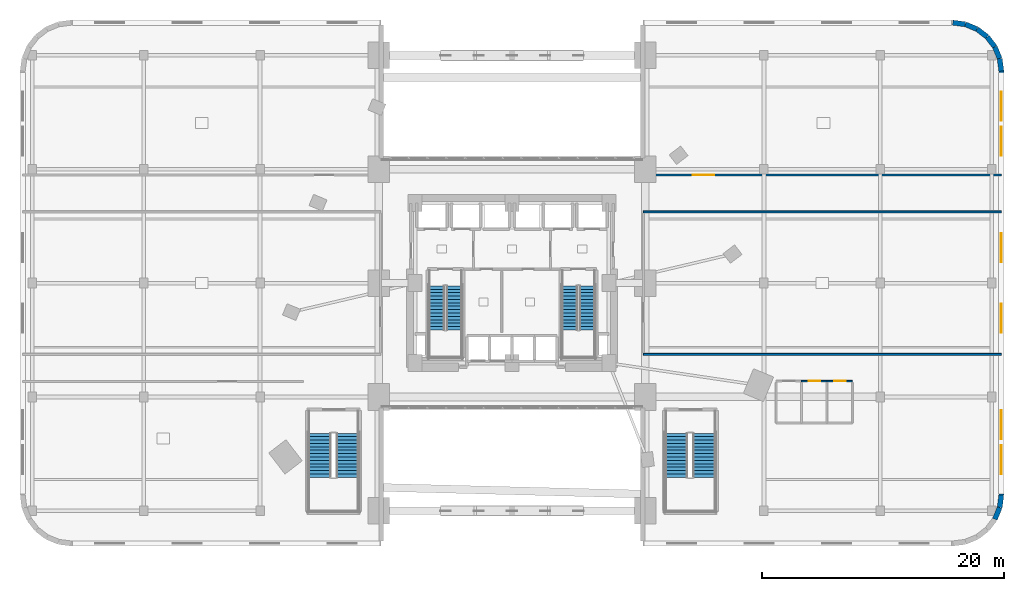
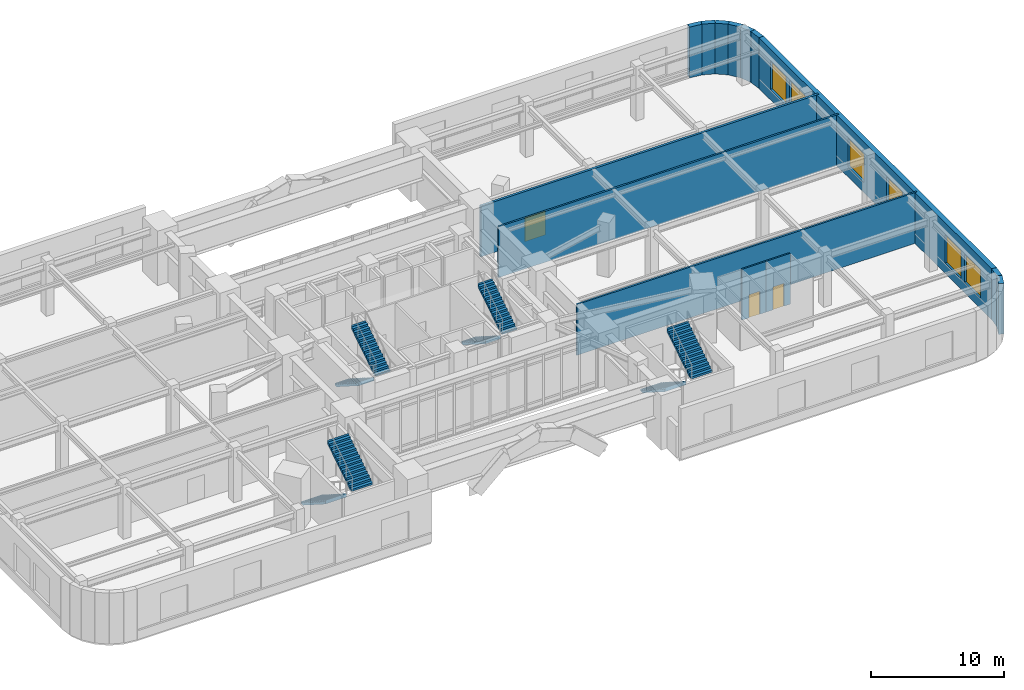
# One storey, part 22 of 25: 14 walls, 8 stair flights, 6 windows, 3 doors, 9 openings, 4 elements without a shape of their own.
"""IFC4 building model written with IfcOpenShell, lengths in metres."""

from ifc_helpers import new_model, si_unit, direction, frame, frame_2d, origin, place, context, subcontext, project, spatial, polyline, rectangle, outline, extrude, material, layer, layer_set, type_object, element, fill, aggregate, save


model = new_model("IFC4")

# Units and contexts
model_context = context("Model", 3, precision=1e-05, world=origin(), true_north=direction((0.0, 1.0)))
body_context = subcontext(model_context, "Body", "Model", "MODEL_VIEW")
ifc_project = project(units=[si_unit("LENGTHUNIT", "METRE"), si_unit("AREAUNIT", "SQUARE_METRE"), si_unit("VOLUMEUNIT", "CUBIC_METRE"), si_unit("PLANEANGLEUNIT", "RADIAN"), si_unit("MASSUNIT", "GRAM", prefix="KILO")], contexts=[model_context])

# Site, building, storey
site_placement = place(None, origin())
site = spatial("IfcSite", under=ifc_project, at=site_placement, CompositionType="ELEMENT")
building_placement = place(site_placement, origin())
building = spatial("IfcBuilding", under=site, at=building_placement, Name="Ndelora Gate Hotel", CompositionType="ELEMENT")
storey_placement = place(building_placement, frame((0.0, 0.0, 11.0)))
storey = spatial("IfcBuildingStorey", under=building, at=storey_placement, Name="L02", CompositionType="ELEMENT", Elevation=11.0)

# Walls
ifc_material_1 = material(Name="Clay Brick Masonry", Category="masonry")
ifc_layer_1 = layer(ifc_material_1, 0.419921875)
ifc_layer_set_1 = layer_set([ifc_layer_1], Name="Clay Brick Masonry")
wall_type_1 = type_object("IfcWallType", Name="WL-BRICK-420", PredefinedType="SOLIDWALL", material=ifc_layer_set_1)
wall_1_placement = place(storey_placement, frame((40.263671875, -18.535400390625, 0.0), z_axis=(0.0, 0.0, 1.0), x_axis=(-0.382771688877, -0.923842970528, 0.0)))
element("IfcWall", 1, at=wall_1_placement, inside=storey, type_object=wall_type_1, Name="L02 Exterior Brick Pier-and-Spandrel Wall 5", PredefinedType="SOLIDWALL", context=body_context, shape_type="SweptSolid", body=[
    extrude(rectangle(XDim=1.044189453125, YDim=0.419921875, at=frame_2d((0.52197265625, 0.0))), origin(), (0.0, 0.0, 1.0), 4.659912109375),
])
wall_2_placement = place(storey_placement, frame((40.39990234375, -17.5, 0.0), z_axis=(0.0, 0.0, 1.0), x_axis=(-0.130448465198, -0.991455091231, 0.0)))
element("IfcWall", 2, at=wall_2_placement, inside=storey, type_object=wall_type_1, Name="L02 Exterior Brick Pier-and-Spandrel Wall 6", PredefinedType="SOLIDWALL", context=body_context, shape_type="SweptSolid", body=[
    extrude(rectangle(XDim=1.04443359375, YDim=0.419921875, at=frame_2d((0.522216796875, 0.0))), origin(), (0.0, 0.0, 1.0), 4.659912109375),
])

# Wall, openings, windows
wall_3_placement = place(storey_placement, frame((40.39990234375, 17.5, 0.0), z_axis=(0.0, 0.0, 1.0), x_axis=(0.0, -1.0, 0.0)))
wall_3 = element("IfcWall", 3, at=wall_3_placement, inside=storey, type_object=wall_type_1, Name="L02 Exterior Brick Pier-and-Spandrel Wall 7", PredefinedType="SOLIDWALL", context=body_context, shape_type="SweptSolid", body=[
    extrude(rectangle(XDim=35.0, YDim=0.419921875, at=frame_2d((17.5, 0.0))), origin(), (0.0, 0.0, 1.0), 4.659912109375),
])
opening_1_placement = place(wall_3_placement, frame((1.716796875, 0.0, 0.949951171875)))
opening_1 = element("IfcOpeningElement", 4, at=opening_1_placement, cuts=wall_3, Name="Opening W04", PredefinedType="OPENING", context=body_context, shape_type="SweptSolid", body=[
    extrude(rectangle(XDim=2.39990234375, YDim=2.60009765625, at=frame_2d((1.199951171875, 1.300048828125))), frame((0.0, 0.219970703125, 0.0), z_axis=(0.0, -1.0, 0.0), x_axis=(1.0, 0.0, 0.0)), (0.0, 0.0, 1.0), 0.43994140625),
])
opening_2_placement = place(wall_3_placement, frame((4.60009765625, 0.0, 0.949951171875)))
opening_2 = element("IfcOpeningElement", 5, at=opening_2_placement, cuts=wall_3, Name="Opening W04", PredefinedType="OPENING", context=body_context, shape_type="SweptSolid", body=[
    extrude(rectangle(XDim=2.39990234375, YDim=2.60009765625, at=frame_2d((1.199951171875, 1.300048828125))), frame((0.0, 0.219970703125, 0.0), z_axis=(0.0, -1.0, 0.0), x_axis=(1.0, 0.0, 0.0)), (0.0, 0.0, 1.0), 0.43994140625),
])
opening_3_placement = place(wall_3_placement, frame((13.38330078125, 0.0, 0.949951171875)))
opening_3 = element("IfcOpeningElement", 6, at=opening_3_placement, cuts=wall_3, Name="Opening W04", PredefinedType="OPENING", context=body_context, shape_type="SweptSolid", body=[
    extrude(rectangle(XDim=2.39990234375, YDim=2.60009765625, at=frame_2d((1.199951171875, 1.300048828125))), frame((0.0, 0.219970703125, 0.0), z_axis=(0.0, -1.0, 0.0), x_axis=(1.0, 0.0, 0.0)), (0.0, 0.0, 1.0), 0.43994140625),
])
opening_4_placement = place(wall_3_placement, frame((19.216796875, 0.0, 0.949951171875)))
opening_4 = element("IfcOpeningElement", 7, at=opening_4_placement, cuts=wall_3, Name="Opening W04", PredefinedType="OPENING", context=body_context, shape_type="SweptSolid", body=[
    extrude(rectangle(XDim=2.39990234375, YDim=2.60009765625, at=frame_2d((1.199951171875, 1.300048828125))), frame((0.0, 0.219970703125, 0.0), z_axis=(0.0, -1.0, 0.0), x_axis=(1.0, 0.0, 0.0)), (0.0, 0.0, 1.0), 0.43994140625),
])
opening_5_placement = place(wall_3_placement, frame((28.0, 0.0, 0.949951171875)))
opening_5 = element("IfcOpeningElement", 8, at=opening_5_placement, cuts=wall_3, Name="Opening W04", PredefinedType="OPENING", context=body_context, shape_type="SweptSolid", body=[
    extrude(rectangle(XDim=2.39990234375, YDim=2.60009765625, at=frame_2d((1.199951171875, 1.300048828125))), frame((0.0, 0.219970703125, 0.0), z_axis=(0.0, -1.0, 0.0), x_axis=(1.0, 0.0, 0.0)), (0.0, 0.0, 1.0), 0.43994140625),
])
opening_6_placement = place(wall_3_placement, frame((30.88330078125, 0.0, 0.949951171875)))
opening_6 = element("IfcOpeningElement", 9, at=opening_6_placement, cuts=wall_3, Name="Opening W04", PredefinedType="OPENING", context=body_context, shape_type="SweptSolid", body=[
    extrude(rectangle(XDim=2.39990234375, YDim=2.60009765625, at=frame_2d((1.199951171875, 1.300048828125))), frame((0.0, 0.219970703125, 0.0), z_axis=(0.0, -1.0, 0.0), x_axis=(1.0, 0.0, 0.0)), (0.0, 0.0, 1.0), 0.43994140625),
])
ifc_material_2 = material(Name="Insulated Low-E Double Glazing in Bronze Aluminium Frame", Category="aluminium")
window_type = type_object("IfcWindowType", Name="WN-POD-2400", PartitioningType="SINGLE_PANEL", PredefinedType="WINDOW", material=ifc_material_2)
window_1_placement = place(opening_1_placement, origin())
window_1 = element("IfcWindow", 10, at=window_1_placement, inside=storey, type_object=window_type, Name="L02 Deep-Set Podium Brick-Frame Window W04", OverallHeight=2.60009765625, OverallWidth=2.39990234375, PartitioningType="SINGLE_PANEL", PredefinedType="WINDOW", context=body_context, shape_type="SweptSolid", body=[
    extrude(rectangle(XDim=2.39990234375, YDim=2.60009765625, at=frame_2d((1.199951171875, 1.300048828125))), frame((0.0, 0.030029296875, 0.0), z_axis=(0.0, -1.0, 0.0), x_axis=(1.0, 0.0, 0.0)), (0.0, 0.0, 1.0), 0.06005859375),
])
fill(opening_1, window_1)
window_2_placement = place(opening_2_placement, origin())
window_2 = element("IfcWindow", 11, at=window_2_placement, inside=storey, type_object=window_type, Name="L02 Deep-Set Podium Brick-Frame Window W04", OverallHeight=2.60009765625, OverallWidth=2.39990234375, PartitioningType="SINGLE_PANEL", PredefinedType="WINDOW", context=body_context, shape_type="SweptSolid", body=[
    extrude(rectangle(XDim=2.39990234375, YDim=2.60009765625, at=frame_2d((1.199951171875, 1.300048828125))), frame((0.0, 0.030029296875, 0.0), z_axis=(0.0, -1.0, 0.0), x_axis=(1.0, 0.0, 0.0)), (0.0, 0.0, 1.0), 0.06005859375),
])
fill(opening_2, window_2)
window_3_placement = place(opening_3_placement, origin())
window_3 = element("IfcWindow", 12, at=window_3_placement, inside=storey, type_object=window_type, Name="L02 Deep-Set Podium Brick-Frame Window W04", OverallHeight=2.60009765625, OverallWidth=2.39990234375, PartitioningType="SINGLE_PANEL", PredefinedType="WINDOW", context=body_context, shape_type="SweptSolid", body=[
    extrude(rectangle(XDim=2.39990234375, YDim=2.60009765625, at=frame_2d((1.199951171875, 1.300048828125))), frame((0.0, 0.030029296875, 0.0), z_axis=(0.0, -1.0, 0.0), x_axis=(1.0, 0.0, 0.0)), (0.0, 0.0, 1.0), 0.06005859375),
])
fill(opening_3, window_3)
window_4_placement = place(opening_4_placement, origin())
window_4 = element("IfcWindow", 13, at=window_4_placement, inside=storey, type_object=window_type, Name="L02 Deep-Set Podium Brick-Frame Window W04", OverallHeight=2.60009765625, OverallWidth=2.39990234375, PartitioningType="SINGLE_PANEL", PredefinedType="WINDOW", context=body_context, shape_type="SweptSolid", body=[
    extrude(rectangle(XDim=2.39990234375, YDim=2.60009765625, at=frame_2d((1.199951171875, 1.300048828125))), frame((0.0, 0.030029296875, 0.0), z_axis=(0.0, -1.0, 0.0), x_axis=(1.0, 0.0, 0.0)), (0.0, 0.0, 1.0), 0.06005859375),
])
fill(opening_4, window_4)
window_5_placement = place(opening_5_placement, origin())
window_5 = element("IfcWindow", 14, at=window_5_placement, inside=storey, type_object=window_type, Name="L02 Deep-Set Podium Brick-Frame Window W04", OverallHeight=2.60009765625, OverallWidth=2.39990234375, PartitioningType="SINGLE_PANEL", PredefinedType="WINDOW", context=body_context, shape_type="SweptSolid", body=[
    extrude(rectangle(XDim=2.39990234375, YDim=2.60009765625, at=frame_2d((1.199951171875, 1.300048828125))), frame((0.0, 0.030029296875, 0.0), z_axis=(0.0, -1.0, 0.0), x_axis=(1.0, 0.0, 0.0)), (0.0, 0.0, 1.0), 0.06005859375),
])
fill(opening_5, window_5)
window_6_placement = place(opening_6_placement, origin())
window_6 = element("IfcWindow", 15, at=window_6_placement, inside=storey, type_object=window_type, Name="L02 Deep-Set Podium Brick-Frame Window W04", OverallHeight=2.60009765625, OverallWidth=2.39990234375, PartitioningType="SINGLE_PANEL", PredefinedType="WINDOW", context=body_context, shape_type="SweptSolid", body=[
    extrude(rectangle(XDim=2.39990234375, YDim=2.60009765625, at=frame_2d((1.199951171875, 1.300048828125))), frame((0.0, 0.030029296875, 0.0), z_axis=(0.0, -1.0, 0.0), x_axis=(1.0, 0.0, 0.0)), (0.0, 0.0, 1.0), 0.06005859375),
])
fill(opening_6, window_6)

# Walls
wall_4_placement = place(storey_placement, frame((40.263671875, 18.535400390625, 0.0), z_axis=(0.0, 0.0, 1.0), x_axis=(0.130448465198, -0.991455091231, 0.0)))
element("IfcWall", 16, at=wall_4_placement, inside=storey, type_object=wall_type_1, Name="L02 Exterior Brick Pier-and-Spandrel Wall 8", PredefinedType="SOLIDWALL", context=body_context, shape_type="SweptSolid", body=[
    extrude(rectangle(XDim=1.04443359375, YDim=0.419921875, at=frame_2d((0.522216796875, 0.0))), origin(), (0.0, 0.0, 1.0), 4.659912109375),
])
wall_5_placement = place(storey_placement, frame((39.864013671875, 19.5, 0.0), z_axis=(0.0, 0.0, 1.0), x_axis=(0.382771688877, -0.923842970528, 0.0)))
element("IfcWall", 17, at=wall_5_placement, inside=storey, type_object=wall_type_1, Name="L02 Exterior Brick Pier-and-Spandrel Wall 9", PredefinedType="SOLIDWALL", context=body_context, shape_type="SweptSolid", body=[
    extrude(rectangle(XDim=1.044189453125, YDim=0.419921875, at=frame_2d((0.52197265625, 0.0))), origin(), (0.0, 0.0, 1.0), 4.659912109375),
])
wall_6_placement = place(storey_placement, frame((39.228515625, 20.328369140625, 0.0), z_axis=(0.0, 0.0, 1.0), x_axis=(0.608681879412, -0.793414374508, 0.0)))
element("IfcWall", 18, at=wall_6_placement, inside=storey, type_object=wall_type_1, Name="L02 Exterior Brick Pier-and-Spandrel Wall 10", PredefinedType="SOLIDWALL", context=body_context, shape_type="SweptSolid", body=[
    extrude(rectangle(XDim=1.0439453125, YDim=0.419921875, at=frame_2d((0.52197265625, 0.0))), origin(), (0.0, 0.0, 1.0), 4.659912109375),
])
wall_7_placement = place(storey_placement, frame((38.39990234375, 20.964111328125, 0.0), z_axis=(0.0, 0.0, 1.0), x_axis=(0.793388088797, -0.608716141198, 0.0)))
element("IfcWall", 19, at=wall_7_placement, inside=storey, type_object=wall_type_1, Name="L02 Exterior Brick Pier-and-Spandrel Wall 11", PredefinedType="SOLIDWALL", context=body_context, shape_type="SweptSolid", body=[
    extrude(rectangle(XDim=1.04443359375, YDim=0.419921875, at=frame_2d((0.522216796875, 0.0))), origin(), (0.0, 0.0, 1.0), 4.659912109375),
])
wall_8_placement = place(storey_placement, frame((37.435302734375, 21.36376953125, 0.0), z_axis=(0.0, 0.0, 1.0), x_axis=(0.923842970528, -0.382771688877, 0.0)))
element("IfcWall", 20, at=wall_8_placement, inside=storey, type_object=wall_type_1, Name="L02 Exterior Brick Pier-and-Spandrel Wall 12", PredefinedType="SOLIDWALL", context=body_context, shape_type="SweptSolid", body=[
    extrude(rectangle(XDim=1.044189453125, YDim=0.419921875, at=frame_2d((0.52197265625, 0.0))), origin(), (0.0, 0.0, 1.0), 4.659912109375),
])
wall_9_placement = place(storey_placement, frame((36.39990234375, 21.5, 0.0), z_axis=(0.0, 0.0, 1.0), x_axis=(0.991455091231, -0.130448465198, 0.0)))
element("IfcWall", 21, at=wall_9_placement, inside=storey, type_object=wall_type_1, Name="L02 Exterior Brick Pier-and-Spandrel Wall 13", PredefinedType="SOLIDWALL", context=body_context, shape_type="SweptSolid", body=[
    extrude(rectangle(XDim=1.04443359375, YDim=0.419921875, at=frame_2d((0.522216796875, 0.0))), origin(), (0.0, 0.0, 1.0), 4.659912109375),
])

# Wall, opening, door
ifc_material_3 = material(Name="Concrete C40/50", Category="concrete")
ifc_layer_2 = layer(ifc_material_3, 0.199951171875)
ifc_layer_set_2 = layer_set([ifc_layer_2], Name="Concrete C40/50")
wall_type_2 = type_object("IfcWallType", Name="WL-FIRE-200", PredefinedType="PARTITIONING", material=ifc_layer_set_2)
wall_10_placement = place(storey_placement, frame((11.050048828125, 8.919921875, 0.0), z_axis=(0.0, 0.0, 1.0), x_axis=(1.0, 0.0, 0.0)))
wall_10 = element("IfcWall", 22, at=wall_10_placement, inside=storey, type_object=wall_type_2, Name="L02 Interior Wall IW-2", PredefinedType="PARTITIONING", context=body_context, shape_type="SweptSolid", body=[
    extrude(rectangle(XDim=29.349853515625, YDim=0.199951171875, at=frame_2d((14.6748046875, 0.0))), origin(), (0.0, 0.0, 1.0), 4.659912109375),
])
opening_7_placement = place(wall_10_placement, frame((3.860107421875, 0.0, 0.0)))
opening_7 = element("IfcOpeningElement", 23, at=opening_7_placement, cuts=wall_10, Name="Opening FD2", PredefinedType="OPENING", context=body_context, shape_type="SweptSolid", body=[
    extrude(rectangle(XDim=1.800048828125, YDim=2.199951171875, at=frame_2d((0.89990234375, 1.10009765625))), frame((0.0, 0.10986328125, 0.0), z_axis=(0.0, -1.0, 0.0), x_axis=(1.0, 0.0, 0.0)), (0.0, 0.0, 1.0), 0.219970703125),
])
ifc_material_4 = material(Name="Fire-Rated Double Exit Door", Category="wood")
door_type_1 = type_object("IfcDoorType", Name="DR-DBL-1800", OperationType="DOUBLE_DOOR_SINGLE_SWING", PredefinedType="DOOR", material=ifc_material_4)
door_1_placement = place(opening_7_placement, origin())
door_1 = element("IfcDoor", 24, at=door_1_placement, inside=storey, type_object=door_type_1, Name="L02 Specialty Finishing Kitchen Door", OperationType="DOUBLE_DOOR_SINGLE_SWING", OverallHeight=2.199951171875, OverallWidth=1.800048828125, PredefinedType="DOOR", context=body_context, shape_type="SweptSolid", body=[
    extrude(rectangle(XDim=1.800048828125, YDim=2.199951171875, at=frame_2d((0.89990234375, 1.10009765625))), frame((0.0, 0.02490234375, 0.0), z_axis=(0.0, -1.0, 0.0), x_axis=(1.0, 0.0, 0.0)), (0.0, 0.0, 1.0), 0.050048828125),
])
fill(opening_7, door_1)

# Walls
ifc_material_5 = material(Name="Fire-Rated Gypsum Stud Partition", Category="gypsum")
ifc_layer_3 = layer(ifc_material_5, 0.159912109375)
ifc_layer_set_3 = layer_set([ifc_layer_3], Name="Fire-Rated Gypsum Stud Partition")
wall_type_3 = type_object("IfcWallType", Name="WL-PART-160", PredefinedType="PARTITIONING", material=ifc_layer_set_3)
for number, where, z_axis, x_axis, name in (
    (25, (40.39990234375, 5.8798828125, 0.0), (0.0, 0.0, 1.0), (-1.0, 0.0, 0.0), "L02 Interior Wall IW-4"),
    (26, (10.85009765625, -5.8798828125, 0.0), (0.0, 0.0, 1.0), (1.0, 0.0, 0.0), "L02 Interior Wall IW-4"),
):
    element("IfcWall", number, at=place(storey_placement, frame(where, z_axis=z_axis, x_axis=x_axis)), inside=storey, type_object=wall_type_3, Name=name, PredefinedType="PARTITIONING", context=body_context, shape_type="SweptSolid", body=[
        extrude(rectangle(XDim=29.5498046875, YDim=0.159912109375, at=frame_2d((14.77490234375, 0.0))), origin(), (0.0, 0.0, 1.0), 4.659912109375),
    ])

# Wall, opening, door
ifc_material_6 = material(Name="Moisture-Resistant Fire-Rated Tile Partition", Category="gypsum")
ifc_layer_4 = layer(ifc_material_6, 0.1298828125)
ifc_layer_set_4 = layer_set([ifc_layer_4], Name="Moisture-Resistant Fire-Rated Tile Partition")
wall_type_4 = type_object("IfcWallType", Name="WL-WET-RATED", PredefinedType="PARTITIONING", material=ifc_layer_set_4)
wall_11_placement = place(storey_placement, frame((26.0, -8.10009765625, 0.0), z_axis=(0.0, 0.0, 1.0), x_axis=(-1.0, 0.0, 0.0)))
wall_11 = element("IfcWall", 27, at=wall_11_placement, inside=storey, type_object=wall_type_4, Name="L02 Interior Wall IW-6", PredefinedType="PARTITIONING", context=body_context, shape_type="SweptSolid", body=[
    extrude(rectangle(XDim=2.10009765625, YDim=0.1298828125, at=frame_2d((1.050048828125, 0.0))), origin(), (0.0, 0.0, 1.0), 4.659912109375),
])
opening_8_placement = place(wall_11_placement, frame((0.550048828125, 0.0, 0.0)))
opening_8 = element("IfcOpeningElement", 28, at=opening_8_placement, cuts=wall_11, Name="Opening D05", PredefinedType="OPENING", context=body_context, shape_type="SweptSolid", body=[
    extrude(rectangle(XDim=0.949951171875, YDim=2.10009765625, at=frame_2d((0.47509765625, 1.050048828125))), frame((0.0, 0.074951171875, 0.0), z_axis=(0.0, -1.0, 0.0), x_axis=(1.0, 0.0, 0.0)), (0.0, 0.0, 1.0), 0.14990234375),
])
ifc_material_7 = material(Name="Accessible Restroom Wide-Clearance Door", Category="wood")
door_type_2 = type_object("IfcDoorType", Name="DR-ACC-950", OperationType="SINGLE_SWING_LEFT", PredefinedType="DOOR", material=ifc_material_7)
door_2_placement = place(opening_8_placement, origin())
door_2 = element("IfcDoor", 29, at=door_2_placement, inside=storey, type_object=door_type_2, Name="L02 Female Public Restroom Door", OperationType="SINGLE_SWING_RIGHT", OverallHeight=2.10009765625, OverallWidth=0.949951171875, PredefinedType="DOOR", context=body_context, shape_type="SweptSolid", body=[
    extrude(rectangle(XDim=0.949951171875, YDim=2.10009765625, at=frame_2d((0.47509765625, 1.050048828125))), frame((0.0, 0.02490234375, 0.0), z_axis=(0.0, -1.0, 0.0), x_axis=(1.0, 0.0, 0.0)), (0.0, 0.0, 1.0), 0.050048828125),
])
fill(opening_8, door_2)

wall_12_placement = place(storey_placement, frame((28.10009765625, -8.10009765625, 0.0), z_axis=(0.0, 0.0, 1.0), x_axis=(-1.0, 0.0, 0.0)))
wall_12 = element("IfcWall", 30, at=wall_12_placement, inside=storey, type_object=wall_type_4, Name="L02 Interior Wall IW-6", PredefinedType="PARTITIONING", context=body_context, shape_type="SweptSolid", body=[
    extrude(rectangle(XDim=2.10009765625, YDim=0.1298828125, at=frame_2d((1.050048828125, 0.0))), origin(), (0.0, 0.0, 1.0), 4.659912109375),
])
opening_9_placement = place(wall_12_placement, frame((0.550048828125, 0.0, 0.0)))
opening_9 = element("IfcOpeningElement", 31, at=opening_9_placement, cuts=wall_12, Name="Opening D05", PredefinedType="OPENING", context=body_context, shape_type="SweptSolid", body=[
    extrude(rectangle(XDim=0.949951171875, YDim=2.10009765625, at=frame_2d((0.47509765625, 1.050048828125))), frame((0.0, 0.074951171875, 0.0), z_axis=(0.0, -1.0, 0.0), x_axis=(1.0, 0.0, 0.0)), (0.0, 0.0, 1.0), 0.14990234375),
])
door_3_placement = place(opening_9_placement, origin())
door_3 = element("IfcDoor", 32, at=door_3_placement, inside=storey, type_object=door_type_2, Name="L02 Accessible WC Door", OperationType="SINGLE_SWING_LEFT", OverallHeight=2.10009765625, OverallWidth=0.949951171875, PredefinedType="DOOR", context=body_context, shape_type="SweptSolid", body=[
    extrude(rectangle(XDim=0.949951171875, YDim=2.10009765625, at=frame_2d((0.47509765625, 1.050048828125))), frame((0.0, 0.02490234375, 0.0), z_axis=(0.0, -1.0, 0.0), x_axis=(1.0, 0.0, 0.0)), (0.0, 0.0, 1.0), 0.050048828125),
])
fill(opening_9, door_3)

# Stair, stair flights
ifc_material_8 = material(Name="Precast concrete C40/50", Category="concrete")
stair_type_1 = type_object("IfcStairType", Name="STR-DOG-CORE", PredefinedType="HALF_TURN_STAIR", material=ifc_material_8)
stair_1_placement = place(storey_placement, origin())
stair_1 = element("IfcStair", 33, at=stair_1_placement, inside=storey, type_object=stair_type_1, Name="L02 Protected Core Exit Stair ST4", PredefinedType="HALF_TURN_STAIR")
stair_flight_type_1 = type_object("IfcStairFlightType", Name="STF-PRECAST", PredefinedType="STRAIGHT", material=ifc_material_8)
stair_flight_1_placement = place(storey_placement, frame((-6.2099609375, -0.22998046875, 0.0), z_axis=(0.0, 0.0, 1.0), x_axis=(0.0, -1.0, 0.0)))
stair_flight_1 = element("IfcStairFlight", 34, at=stair_flight_1_placement, type_object=stair_flight_type_1, Name="ST4 flight 1", NumberOfRisers=14, NumberOfTreads=13, PredefinedType="STRAIGHT", RiserHeight=0.178571429, TreadLength=0.28, context=body_context, shape_type="SweptSolid", body=[
    extrude(outline(polyline([(-0.00048828125, 0.0), (-0.00048828125, 0.178466796875), (0.0, 0.178466796875), (0.280029296875, 0.178466796875), (0.280029296875, 0.357177734375), (0.56005859375, 0.357177734375), (0.56005859375, 0.53564453125), (0.840087890625, 0.53564453125), (0.840087890625, 0.71435546875), (1.1201171875, 0.71435546875), (1.1201171875, 0.892822265625), (1.39990234375, 0.892822265625), (1.39990234375, 1.071533203125), (1.679931640625, 1.071533203125), (1.679931640625, 1.25), (1.9599609375, 1.25), (1.9599609375, 1.428466796875), (2.239990234375, 1.428466796875), (2.239990234375, 1.607177734375), (2.52001953125, 1.607177734375), (2.52001953125, 1.78564453125), (2.800048828125, 1.78564453125), (2.800048828125, 1.96435546875), (3.080078125, 1.96435546875), (3.080078125, 2.142822265625), (3.360107421875, 2.142822265625), (3.360107421875, 2.321533203125), (3.639892578125, 2.321533203125), (3.639892578125, 2.5), (3.640625, 2.5), (3.640625, 2.320068359375), (3.639892578125, 2.1435546875), (0.27880859375, 0.0), (-0.00048828125, 0.0)])), frame((0.0, 0.64013671875, 0.0), z_axis=(0.0, -1.0, 0.0), x_axis=(1.0, 0.0, 0.0)), (0.0, 0.0, 1.0), 1.280029296875),
])
stair_flight_2_placement = place(storey_placement, frame((-4.77001953125, -3.8701171875, 2.5), z_axis=(0.0, 0.0, 1.0), x_axis=(0.0, 1.0, 0.0)))
stair_flight_2 = element("IfcStairFlight", 35, at=stair_flight_2_placement, type_object=stair_flight_type_1, Name="ST4 flight 2", NumberOfRisers=14, NumberOfTreads=13, PredefinedType="STRAIGHT", RiserHeight=0.178571429, TreadLength=0.28, context=body_context, shape_type="SweptSolid", body=[
    extrude(outline(polyline([(-0.00048828125, 0.0), (-0.00048828125, 0.178466796875), (0.0, 0.178466796875), (0.280029296875, 0.178466796875), (0.280029296875, 0.357177734375), (0.56005859375, 0.357177734375), (0.56005859375, 0.53564453125), (0.840087890625, 0.53564453125), (0.840087890625, 0.71435546875), (1.1201171875, 0.71435546875), (1.1201171875, 0.892822265625), (1.39990234375, 0.892822265625), (1.39990234375, 1.071533203125), (1.679931640625, 1.071533203125), (1.679931640625, 1.25), (1.9599609375, 1.25), (1.9599609375, 1.428466796875), (2.239990234375, 1.428466796875), (2.239990234375, 1.607177734375), (2.52001953125, 1.607177734375), (2.52001953125, 1.78564453125), (2.800048828125, 1.78564453125), (2.800048828125, 1.96435546875), (3.080078125, 1.96435546875), (3.080078125, 2.142822265625), (3.360107421875, 2.142822265625), (3.360107421875, 2.321533203125), (3.639892578125, 2.321533203125), (3.639892578125, 2.5), (3.640625, 2.5), (3.640625, 2.320068359375), (3.639892578125, 2.1435546875), (0.27880859375, 0.0), (-0.00048828125, 0.0)])), frame((0.0, 0.64013671875, 0.0), z_axis=(0.0, -1.0, 0.0), x_axis=(1.0, 0.0, 0.0)), (0.0, 0.0, 1.0), 1.280029296875),
])
aggregate(stair_1, [stair_flight_1, stair_flight_2])

stair_2_placement = place(storey_placement, origin())
stair_2 = element("IfcStair", 36, at=stair_2_placement, inside=storey, type_object=stair_type_1, Name="L02 Protected Core Exit Stair ST5", PredefinedType="HALF_TURN_STAIR")
stair_flight_3_placement = place(storey_placement, frame((4.77001953125, -0.22998046875, 0.0), z_axis=(0.0, 0.0, 1.0), x_axis=(0.0, -1.0, 0.0)))
stair_flight_3 = element("IfcStairFlight", 37, at=stair_flight_3_placement, type_object=stair_flight_type_1, Name="ST5 flight 1", NumberOfRisers=14, NumberOfTreads=13, PredefinedType="STRAIGHT", RiserHeight=0.178571429, TreadLength=0.28, context=body_context, shape_type="SweptSolid", body=[
    extrude(outline(polyline([(-0.00048828125, 0.0), (-0.00048828125, 0.178466796875), (0.0, 0.178466796875), (0.280029296875, 0.178466796875), (0.280029296875, 0.357177734375), (0.56005859375, 0.357177734375), (0.56005859375, 0.53564453125), (0.840087890625, 0.53564453125), (0.840087890625, 0.71435546875), (1.1201171875, 0.71435546875), (1.1201171875, 0.892822265625), (1.39990234375, 0.892822265625), (1.39990234375, 1.071533203125), (1.679931640625, 1.071533203125), (1.679931640625, 1.25), (1.9599609375, 1.25), (1.9599609375, 1.428466796875), (2.239990234375, 1.428466796875), (2.239990234375, 1.607177734375), (2.52001953125, 1.607177734375), (2.52001953125, 1.78564453125), (2.800048828125, 1.78564453125), (2.800048828125, 1.96435546875), (3.080078125, 1.96435546875), (3.080078125, 2.142822265625), (3.360107421875, 2.142822265625), (3.360107421875, 2.321533203125), (3.639892578125, 2.321533203125), (3.639892578125, 2.5), (3.640625, 2.5), (3.640625, 2.320068359375), (3.639892578125, 2.1435546875), (0.27880859375, 0.0), (-0.00048828125, 0.0)])), frame((0.0, 0.64013671875, 0.0), z_axis=(0.0, -1.0, 0.0), x_axis=(1.0, 0.0, 0.0)), (0.0, 0.0, 1.0), 1.280029296875),
])
stair_flight_4_placement = place(storey_placement, frame((6.2099609375, -3.8701171875, 2.5), z_axis=(0.0, 0.0, 1.0), x_axis=(0.0, 1.0, 0.0)))
stair_flight_4 = element("IfcStairFlight", 38, at=stair_flight_4_placement, type_object=stair_flight_type_1, Name="ST5 flight 2", NumberOfRisers=14, NumberOfTreads=13, PredefinedType="STRAIGHT", RiserHeight=0.178571429, TreadLength=0.28, context=body_context, shape_type="SweptSolid", body=[
    extrude(outline(polyline([(-0.00048828125, 0.0), (-0.00048828125, 0.178466796875), (0.0, 0.178466796875), (0.280029296875, 0.178466796875), (0.280029296875, 0.357177734375), (0.56005859375, 0.357177734375), (0.56005859375, 0.53564453125), (0.840087890625, 0.53564453125), (0.840087890625, 0.71435546875), (1.1201171875, 0.71435546875), (1.1201171875, 0.892822265625), (1.39990234375, 0.892822265625), (1.39990234375, 1.071533203125), (1.679931640625, 1.071533203125), (1.679931640625, 1.25), (1.9599609375, 1.25), (1.9599609375, 1.428466796875), (2.239990234375, 1.428466796875), (2.239990234375, 1.607177734375), (2.52001953125, 1.607177734375), (2.52001953125, 1.78564453125), (2.800048828125, 1.78564453125), (2.800048828125, 1.96435546875), (3.080078125, 1.96435546875), (3.080078125, 2.142822265625), (3.360107421875, 2.142822265625), (3.360107421875, 2.321533203125), (3.639892578125, 2.321533203125), (3.639892578125, 2.5), (3.640625, 2.5), (3.640625, 2.320068359375), (3.639892578125, 2.1435546875), (0.27880859375, 0.0), (-0.00048828125, 0.0)])), frame((0.0, 0.64013671875, 0.0), z_axis=(0.0, -1.0, 0.0), x_axis=(1.0, 0.0, 0.0)), (0.0, 0.0, 1.0), 1.280029296875),
])
aggregate(stair_2, [stair_flight_3, stair_flight_4])

stair_type_2 = type_object("IfcStairType", Name="STR-DOG-POD", PredefinedType="HALF_TURN_STAIR", material=ifc_material_8)
stair_3_placement = place(storey_placement, origin())
stair_3 = element("IfcStair", 39, at=stair_3_placement, inside=storey, type_object=stair_type_2, Name="L02 Podium Ballroom Exit Stair ST3A", PredefinedType="HALF_TURN_STAIR")
stair_flight_type_2 = type_object("IfcStairFlightType", Name="STF-PRECAST-WIDE", PredefinedType="STRAIGHT", material=ifc_material_8)
stair_flight_5_placement = place(storey_placement, frame((-15.875, -12.39990234375, 0.0), z_axis=(0.0, 0.0, 1.0), x_axis=(0.0, -1.0, 0.0)))
stair_flight_5 = element("IfcStairFlight", 40, at=stair_flight_5_placement, type_object=stair_flight_type_2, Name="ST3A flight 1", NumberOfRisers=14, NumberOfTreads=13, PredefinedType="STRAIGHT", RiserHeight=0.178571429, TreadLength=0.28, context=body_context, shape_type="SweptSolid", body=[
    extrude(outline(polyline([(-0.00048828125, 0.0), (-0.00048828125, 0.178466796875), (0.0, 0.178466796875), (0.280029296875, 0.178466796875), (0.280029296875, 0.357177734375), (0.56005859375, 0.357177734375), (0.56005859375, 0.53564453125), (0.840087890625, 0.53564453125), (0.840087890625, 0.71435546875), (1.1201171875, 0.71435546875), (1.1201171875, 0.892822265625), (1.39990234375, 0.892822265625), (1.39990234375, 1.071533203125), (1.679931640625, 1.071533203125), (1.679931640625, 1.25), (1.9599609375, 1.25), (1.9599609375, 1.428466796875), (2.239990234375, 1.428466796875), (2.239990234375, 1.607177734375), (2.52001953125, 1.607177734375), (2.52001953125, 1.78564453125), (2.800048828125, 1.78564453125), (2.800048828125, 1.96435546875), (3.080078125, 1.96435546875), (3.080078125, 2.142822265625), (3.360107421875, 2.142822265625), (3.360107421875, 2.321533203125), (3.639892578125, 2.321533203125), (3.639892578125, 2.5), (3.640625, 2.5), (3.640625, 2.320068359375), (3.639892578125, 2.1435546875), (0.27880859375, 0.0), (-0.00048828125, 0.0)])), frame((0.0, 0.925048828125, 0.0), z_axis=(0.0, -1.0, 0.0), x_axis=(1.0, 0.0, 0.0)), (0.0, 0.0, 1.0), 1.85009765625),
])
stair_flight_6_placement = place(storey_placement, frame((-13.5849609375, -16.0400390625, 2.5), z_axis=(0.0, 0.0, 1.0), x_axis=(0.0, 1.0, 0.0)))
stair_flight_6 = element("IfcStairFlight", 41, at=stair_flight_6_placement, type_object=stair_flight_type_2, Name="ST3A flight 2", NumberOfRisers=14, NumberOfTreads=13, PredefinedType="STRAIGHT", RiserHeight=0.178571429, TreadLength=0.28, context=body_context, shape_type="SweptSolid", body=[
    extrude(outline(polyline([(-0.00048828125, 0.0), (-0.00048828125, 0.178466796875), (0.0, 0.178466796875), (0.280029296875, 0.178466796875), (0.280029296875, 0.357177734375), (0.56005859375, 0.357177734375), (0.56005859375, 0.53564453125), (0.840087890625, 0.53564453125), (0.840087890625, 0.71435546875), (1.1201171875, 0.71435546875), (1.1201171875, 0.892822265625), (1.39990234375, 0.892822265625), (1.39990234375, 1.071533203125), (1.679931640625, 1.071533203125), (1.679931640625, 1.25), (1.9599609375, 1.25), (1.9599609375, 1.428466796875), (2.239990234375, 1.428466796875), (2.239990234375, 1.607177734375), (2.52001953125, 1.607177734375), (2.52001953125, 1.78564453125), (2.800048828125, 1.78564453125), (2.800048828125, 1.96435546875), (3.080078125, 1.96435546875), (3.080078125, 2.142822265625), (3.360107421875, 2.142822265625), (3.360107421875, 2.321533203125), (3.639892578125, 2.321533203125), (3.639892578125, 2.5), (3.640625, 2.5), (3.640625, 2.320068359375), (3.639892578125, 2.1435546875), (0.27880859375, 0.0), (-0.00048828125, 0.0)])), frame((0.0, 0.925048828125, 0.0), z_axis=(0.0, -1.0, 0.0), x_axis=(1.0, 0.0, 0.0)), (0.0, 0.0, 1.0), 1.85009765625),
])
aggregate(stair_3, [stair_flight_5, stair_flight_6])

stair_4_placement = place(storey_placement, origin())
stair_4 = element("IfcStair", 42, at=stair_4_placement, inside=storey, type_object=stair_type_2, Name="L02 Podium Conference Exit Stair ST3B", PredefinedType="HALF_TURN_STAIR")
stair_flight_7_placement = place(storey_placement, frame((13.5849609375, -12.39990234375, 0.0), z_axis=(0.0, 0.0, 1.0), x_axis=(0.0, -1.0, 0.0)))
stair_flight_7 = element("IfcStairFlight", 43, at=stair_flight_7_placement, type_object=stair_flight_type_2, Name="ST3B flight 1", NumberOfRisers=14, NumberOfTreads=13, PredefinedType="STRAIGHT", RiserHeight=0.178571429, TreadLength=0.28, context=body_context, shape_type="SweptSolid", body=[
    extrude(outline(polyline([(-0.00048828125, 0.0), (-0.00048828125, 0.178466796875), (0.0, 0.178466796875), (0.280029296875, 0.178466796875), (0.280029296875, 0.357177734375), (0.56005859375, 0.357177734375), (0.56005859375, 0.53564453125), (0.840087890625, 0.53564453125), (0.840087890625, 0.71435546875), (1.1201171875, 0.71435546875), (1.1201171875, 0.892822265625), (1.39990234375, 0.892822265625), (1.39990234375, 1.071533203125), (1.679931640625, 1.071533203125), (1.679931640625, 1.25), (1.9599609375, 1.25), (1.9599609375, 1.428466796875), (2.239990234375, 1.428466796875), (2.239990234375, 1.607177734375), (2.52001953125, 1.607177734375), (2.52001953125, 1.78564453125), (2.800048828125, 1.78564453125), (2.800048828125, 1.96435546875), (3.080078125, 1.96435546875), (3.080078125, 2.142822265625), (3.360107421875, 2.142822265625), (3.360107421875, 2.321533203125), (3.639892578125, 2.321533203125), (3.639892578125, 2.5), (3.640625, 2.5), (3.640625, 2.320068359375), (3.639892578125, 2.1435546875), (0.27880859375, 0.0), (-0.00048828125, 0.0)])), frame((0.0, 0.925048828125, 0.0), z_axis=(0.0, -1.0, 0.0), x_axis=(1.0, 0.0, 0.0)), (0.0, 0.0, 1.0), 1.85009765625),
])
stair_flight_8_placement = place(storey_placement, frame((15.875, -16.0400390625, 2.5), z_axis=(0.0, 0.0, 1.0), x_axis=(0.0, 1.0, 0.0)))
stair_flight_8 = element("IfcStairFlight", 44, at=stair_flight_8_placement, type_object=stair_flight_type_2, Name="ST3B flight 2", NumberOfRisers=14, NumberOfTreads=13, PredefinedType="STRAIGHT", RiserHeight=0.178571429, TreadLength=0.28, context=body_context, shape_type="SweptSolid", body=[
    extrude(outline(polyline([(-0.00048828125, 0.0), (-0.00048828125, 0.178466796875), (0.0, 0.178466796875), (0.280029296875, 0.178466796875), (0.280029296875, 0.357177734375), (0.56005859375, 0.357177734375), (0.56005859375, 0.53564453125), (0.840087890625, 0.53564453125), (0.840087890625, 0.71435546875), (1.1201171875, 0.71435546875), (1.1201171875, 0.892822265625), (1.39990234375, 0.892822265625), (1.39990234375, 1.071533203125), (1.679931640625, 1.071533203125), (1.679931640625, 1.25), (1.9599609375, 1.25), (1.9599609375, 1.428466796875), (2.239990234375, 1.428466796875), (2.239990234375, 1.607177734375), (2.52001953125, 1.607177734375), (2.52001953125, 1.78564453125), (2.800048828125, 1.78564453125), (2.800048828125, 1.96435546875), (3.080078125, 1.96435546875), (3.080078125, 2.142822265625), (3.360107421875, 2.142822265625), (3.360107421875, 2.321533203125), (3.639892578125, 2.321533203125), (3.639892578125, 2.5), (3.640625, 2.5), (3.640625, 2.320068359375), (3.639892578125, 2.1435546875), (0.27880859375, 0.0), (-0.00048828125, 0.0)])), frame((0.0, 0.925048828125, 0.0), z_axis=(0.0, -1.0, 0.0), x_axis=(1.0, 0.0, 0.0)), (0.0, 0.0, 1.0), 1.85009765625),
])
aggregate(stair_4, [stair_flight_7, stair_flight_8])

save(model, "model.ifc")
